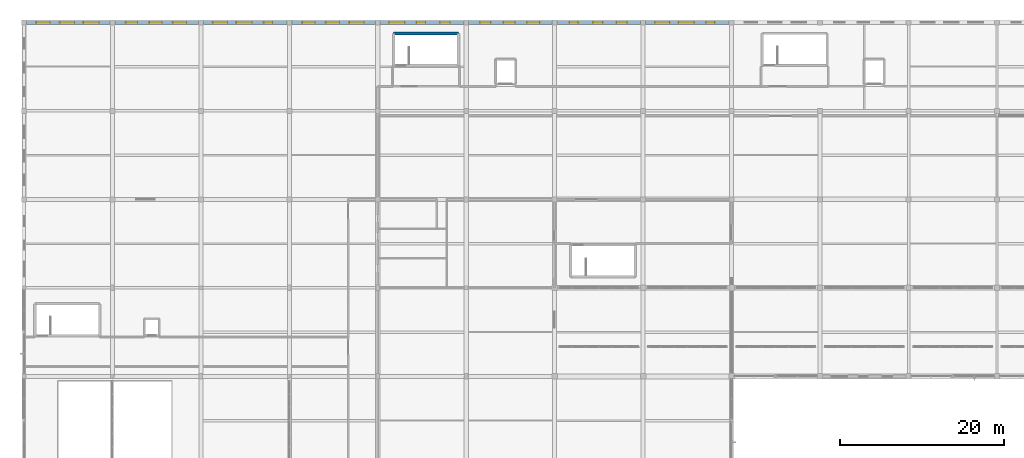
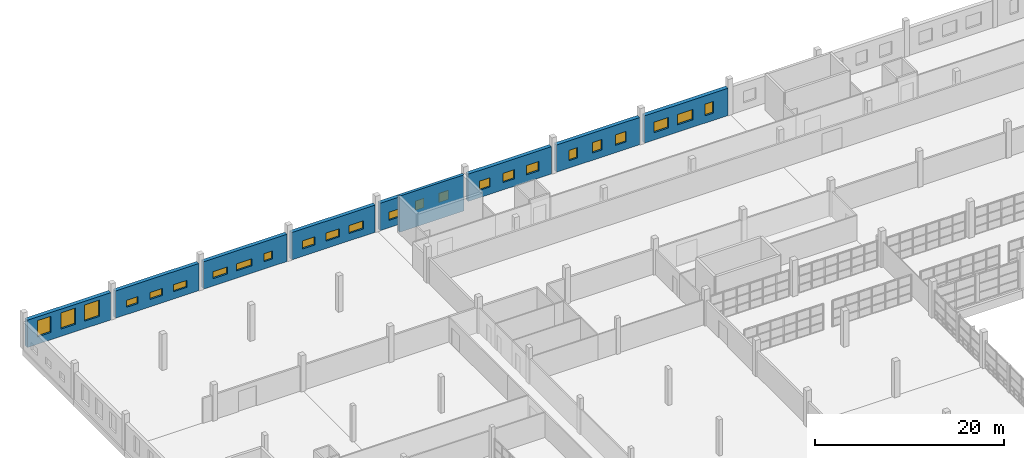
# One storey, part 117 of 142: 24 windows, 9 walls, 24 openings.
"""IFC4 building model written with IfcOpenShell, lengths in metres."""

from ifc_helpers import new_model, si_unit, direction, frame, frame_2d, origin, place, context, subcontext, project, spatial, rectangle, extrude, material, layer, layer_set, type_object, element, fill, save


model = new_model("IFC4")

# Units and contexts
model_context = context("Model", 3, precision=1e-05, world=origin(), true_north=direction((0.0, 1.0)))
body_context = subcontext(model_context, "Body", "Model", "MODEL_VIEW")
ifc_project = project(units=[si_unit("LENGTHUNIT", "METRE"), si_unit("AREAUNIT", "SQUARE_METRE"), si_unit("VOLUMEUNIT", "CUBIC_METRE"), si_unit("PLANEANGLEUNIT", "RADIAN"), si_unit("MASSUNIT", "GRAM", prefix="KILO")], contexts=[model_context])

# Site, building, storey
site_placement = place(None, origin())
site = spatial("IfcSite", under=ifc_project, at=site_placement, CompositionType="ELEMENT")
building_placement = place(site_placement, origin())
building = spatial("IfcBuilding", under=site, at=building_placement, Name="Zwinboog Wholesale Market", CompositionType="ELEMENT")
storey_placement = place(building_placement, frame((0.0, 0.0, 5.39990234375)))
storey = spatial("IfcBuildingStorey", under=building, at=storey_placement, Name="L01", CompositionType="ELEMENT", Elevation=5.39990234375)

# Wall, openings, windows
ifc_material_1 = material(Name="Precast concrete C45/55", Category="concrete")
ifc_layer_1 = layer(ifc_material_1, 0.455078125)
ifc_layer_set_1 = layer_set([ifc_layer_1], Name="Precast concrete C45/55")
wall_type_1 = type_object("IfcWallType", Name="WT-EW-455", PredefinedType="STANDARD", material=ifc_layer_set_1)
wall_1_placement = place(storey_placement, frame((11.094970703125, 129.60009765625, 0.0), z_axis=(0.0, 0.0, 1.0), x_axis=(1.0, 0.0, 0.0)))
wall_1 = element("IfcWall", 1, at=wall_1_placement, inside=storey, type_object=wall_type_1, Name="EW-05 (WL-EW-L01-104)", PredefinedType="STANDARD", context=body_context, shape_type="SweptSolid", body=[
    extrude(rectangle(XDim=10.2099609375, YDim=0.455078125, at=frame_2d((5.10498046875, 0.0))), origin(), (0.0, 0.0, 1.0), 3.530029296875),
])
opening_1_placement = place(wall_1_placement, frame((1.344970703125, 0.0, 0.949951171875)))
opening_1 = element("IfcOpeningElement", 2, at=opening_1_placement, cuts=wall_1, Name="Opening WN-04", PredefinedType="OPENING", context=body_context, shape_type="SweptSolid", body=[
    extrude(rectangle(XDim=1.409912109375, YDim=0.89990234375, at=frame_2d((0.705078125, 0.449951171875))), frame((0.0, 0.237548828125, 0.0), z_axis=(0.0, -1.0, 0.0), x_axis=(1.0, 0.0, 0.0)), (0.0, 0.0, 1.0), 0.47509765625),
])
opening_2_placement = place(wall_1_placement, frame((4.215087890625, 0.0, 0.949951171875)))
opening_2 = element("IfcOpeningElement", 3, at=opening_2_placement, cuts=wall_1, Name="Opening WN-05", PredefinedType="OPENING", context=body_context, shape_type="SweptSolid", body=[
    extrude(rectangle(XDim=1.530029296875, YDim=0.89990234375, at=frame_2d((0.76513671875, 0.449951171875))), frame((0.0, 0.237548828125, 0.0), z_axis=(0.0, -1.0, 0.0), x_axis=(1.0, 0.0, 0.0)), (0.0, 0.0, 1.0), 0.47509765625),
])
opening_3_placement = place(wall_1_placement, frame((7.0849609375, 0.0, 0.949951171875)))
opening_3 = element("IfcOpeningElement", 4, at=opening_3_placement, cuts=wall_1, Name="Opening WN-06", PredefinedType="OPENING", context=body_context, shape_type="SweptSolid", body=[
    extrude(rectangle(XDim=1.64990234375, YDim=0.89990234375, at=frame_2d((0.824951171875, 0.449951171875))), frame((0.0, 0.237548828125, 0.0), z_axis=(0.0, -1.0, 0.0), x_axis=(1.0, 0.0, 0.0)), (0.0, 0.0, 1.0), 0.47509765625),
])
ifc_material_2 = material(Name="Thermally broken aluminium low-e window", Category="aluminium")
window_type_1 = type_object("IfcWindowType", Name="WNT-04", PartitioningType="SINGLE_PANEL", PredefinedType="WINDOW", material=ifc_material_2)
window_1_placement = place(opening_1_placement, origin())
window_1 = element("IfcWindow", 5, at=window_1_placement, inside=storey, type_object=window_type_1, Name="WN-04 (WIN-L01-0076)", OverallHeight=0.89990234375, OverallWidth=1.409912109375, PartitioningType="SINGLE_PANEL", PredefinedType="WINDOW", context=body_context, shape_type="SweptSolid", body=[
    extrude(rectangle(XDim=1.409912109375, YDim=0.89990234375, at=frame_2d((0.705078125, 0.449951171875))), frame((0.0, 0.030029296875, 0.0), z_axis=(0.0, -1.0, 0.0), x_axis=(1.0, 0.0, 0.0)), (0.0, 0.0, 1.0), 0.06005859375),
])
fill(opening_1, window_1)
window_type_2 = type_object("IfcWindowType", Name="WNT-05", PartitioningType="SINGLE_PANEL", PredefinedType="WINDOW", material=ifc_material_2)
window_2_placement = place(opening_2_placement, origin())
window_2 = element("IfcWindow", 6, at=window_2_placement, inside=storey, type_object=window_type_2, Name="WN-05 (WIN-L01-0077)", OverallHeight=0.89990234375, OverallWidth=1.530029296875, PartitioningType="SINGLE_PANEL", PredefinedType="WINDOW", context=body_context, shape_type="SweptSolid", body=[
    extrude(rectangle(XDim=1.530029296875, YDim=0.89990234375, at=frame_2d((0.76513671875, 0.449951171875))), frame((0.0, 0.030029296875, 0.0), z_axis=(0.0, -1.0, 0.0), x_axis=(1.0, 0.0, 0.0)), (0.0, 0.0, 1.0), 0.06005859375),
])
fill(opening_2, window_2)
window_type_3 = type_object("IfcWindowType", Name="WNT-06", PartitioningType="SINGLE_PANEL", PredefinedType="WINDOW", material=ifc_material_2)
window_3_placement = place(opening_3_placement, origin())
window_3 = element("IfcWindow", 7, at=window_3_placement, inside=storey, type_object=window_type_3, Name="WN-06 (WIN-L01-0078)", OverallHeight=0.89990234375, OverallWidth=1.64990234375, PartitioningType="SINGLE_PANEL", PredefinedType="WINDOW", context=body_context, shape_type="SweptSolid", body=[
    extrude(rectangle(XDim=1.64990234375, YDim=0.89990234375, at=frame_2d((0.824951171875, 0.449951171875))), frame((0.0, 0.030029296875, 0.0), z_axis=(0.0, -1.0, 0.0), x_axis=(1.0, 0.0, 0.0)), (0.0, 0.0, 1.0), 0.06005859375),
])
fill(opening_3, window_3)

wall_2_placement = place(storey_placement, frame((21.89501953125, 129.60009765625, 0.0), z_axis=(0.0, 0.0, 1.0), x_axis=(1.0, 0.0, 0.0)))
wall_2 = element("IfcWall", 8, at=wall_2_placement, inside=storey, type_object=wall_type_1, Name="EW-05 (WL-EW-L01-106)", PredefinedType="STANDARD", context=body_context, shape_type="SweptSolid", body=[
    extrude(rectangle(XDim=10.2099609375, YDim=0.455078125, at=frame_2d((5.10498046875, 0.0))), origin(), (0.0, 0.0, 1.0), 3.530029296875),
])
opening_4_placement = place(wall_2_placement, frame((1.1650390625, 0.0, 0.949951171875)))
opening_4 = element("IfcOpeningElement", 9, at=opening_4_placement, cuts=wall_2, Name="Opening WN-07", PredefinedType="OPENING", context=body_context, shape_type="SweptSolid", body=[
    extrude(rectangle(XDim=1.77001953125, YDim=0.89990234375, at=frame_2d((0.885009765625, 0.449951171875))), frame((0.0, 0.237548828125, 0.0), z_axis=(0.0, -1.0, 0.0), x_axis=(1.0, 0.0, 0.0)), (0.0, 0.0, 1.0), 0.47509765625),
])
opening_5_placement = place(wall_2_placement, frame((4.034912109375, 0.0, 0.949951171875)))
opening_5 = element("IfcOpeningElement", 10, at=opening_5_placement, cuts=wall_2, Name="Opening WN-08", PredefinedType="OPENING", context=body_context, shape_type="SweptSolid", body=[
    extrude(rectangle(XDim=1.889892578125, YDim=0.89990234375, at=frame_2d((0.94482421875, 0.449951171875))), frame((0.0, 0.237548828125, 0.0), z_axis=(0.0, -1.0, 0.0), x_axis=(1.0, 0.0, 0.0)), (0.0, 0.0, 1.0), 0.47509765625),
])
opening_6_placement = place(wall_2_placement, frame((7.385009765625, 0.0, 0.949951171875)))
opening_6 = element("IfcOpeningElement", 11, at=opening_6_placement, cuts=wall_2, Name="Opening WN-09", PredefinedType="OPENING", context=body_context, shape_type="SweptSolid", body=[
    extrude(rectangle(XDim=1.050048828125, YDim=1.050048828125, at=frame_2d((0.52490234375, 0.52490234375))), frame((0.0, 0.237548828125, 0.0), z_axis=(0.0, -1.0, 0.0), x_axis=(1.0, 0.0, 0.0)), (0.0, 0.0, 1.0), 0.47509765625),
])
window_type_4 = type_object("IfcWindowType", Name="WNT-07", PartitioningType="SINGLE_PANEL", PredefinedType="WINDOW", material=ifc_material_2)
window_4_placement = place(opening_4_placement, origin())
window_4 = element("IfcWindow", 12, at=window_4_placement, inside=storey, type_object=window_type_4, Name="WN-07 (WIN-L01-0079)", OverallHeight=0.89990234375, OverallWidth=1.77001953125, PartitioningType="SINGLE_PANEL", PredefinedType="WINDOW", context=body_context, shape_type="SweptSolid", body=[
    extrude(rectangle(XDim=1.77001953125, YDim=0.89990234375, at=frame_2d((0.885009765625, 0.449951171875))), frame((0.0, 0.030029296875, 0.0), z_axis=(0.0, -1.0, 0.0), x_axis=(1.0, 0.0, 0.0)), (0.0, 0.0, 1.0), 0.06005859375),
])
fill(opening_4, window_4)
window_type_5 = type_object("IfcWindowType", Name="WNT-08", PartitioningType="SINGLE_PANEL", PredefinedType="WINDOW", material=ifc_material_2)
window_5_placement = place(opening_5_placement, origin())
window_5 = element("IfcWindow", 13, at=window_5_placement, inside=storey, type_object=window_type_5, Name="WN-08 (WIN-L01-0080)", OverallHeight=0.89990234375, OverallWidth=1.889892578125, PartitioningType="SINGLE_PANEL", PredefinedType="WINDOW", context=body_context, shape_type="SweptSolid", body=[
    extrude(rectangle(XDim=1.889892578125, YDim=0.89990234375, at=frame_2d((0.94482421875, 0.449951171875))), frame((0.0, 0.030029296875, 0.0), z_axis=(0.0, -1.0, 0.0), x_axis=(1.0, 0.0, 0.0)), (0.0, 0.0, 1.0), 0.06005859375),
])
fill(opening_5, window_5)
window_type_6 = type_object("IfcWindowType", Name="WNT-09", PartitioningType="SINGLE_PANEL", PredefinedType="WINDOW", material=ifc_material_2)
window_6_placement = place(opening_6_placement, origin())
window_6 = element("IfcWindow", 14, at=window_6_placement, inside=storey, type_object=window_type_6, Name="WN-09 (WIN-L01-0081)", OverallHeight=1.050048828125, OverallWidth=1.050048828125, PartitioningType="SINGLE_PANEL", PredefinedType="WINDOW", context=body_context, shape_type="SweptSolid", body=[
    extrude(rectangle(XDim=1.050048828125, YDim=1.050048828125, at=frame_2d((0.52490234375, 0.52490234375))), frame((0.0, 0.030029296875, 0.0), z_axis=(0.0, -1.0, 0.0), x_axis=(1.0, 0.0, 0.0)), (0.0, 0.0, 1.0), 0.06005859375),
])
fill(opening_6, window_6)

wall_3_placement = place(storey_placement, frame((32.695068359375, 129.60009765625, 0.0), z_axis=(0.0, 0.0, 1.0), x_axis=(1.0, 0.0, 0.0)))
wall_3 = element("IfcWall", 15, at=wall_3_placement, inside=storey, type_object=wall_type_1, Name="EW-05 (WL-EW-L01-114)", PredefinedType="STANDARD", context=body_context, shape_type="SweptSolid", body=[
    extrude(rectangle(XDim=10.2099609375, YDim=0.455078125, at=frame_2d((5.10498046875, 0.0))), origin(), (0.0, 0.0, 1.0), 3.530029296875),
])
opening_7_placement = place(wall_3_placement, frame((1.284912109375, 0.0, 0.949951171875)))
opening_7 = element("IfcOpeningElement", 16, at=opening_7_placement, cuts=wall_3, Name="Opening WN-13", PredefinedType="OPENING", context=body_context, shape_type="SweptSolid", body=[
    extrude(rectangle(XDim=1.530029296875, YDim=1.050048828125, at=frame_2d((0.76513671875, 0.52490234375))), frame((0.0, 0.237548828125, 0.0), z_axis=(0.0, -1.0, 0.0), x_axis=(1.0, 0.0, 0.0)), (0.0, 0.0, 1.0), 0.47509765625),
])
opening_8_placement = place(wall_3_placement, frame((4.155029296875, 0.0, 0.949951171875)))
opening_8 = element("IfcOpeningElement", 17, at=opening_8_placement, cuts=wall_3, Name="Opening WN-14", PredefinedType="OPENING", context=body_context, shape_type="SweptSolid", body=[
    extrude(rectangle(XDim=1.64990234375, YDim=1.050048828125, at=frame_2d((0.824951171875, 0.52490234375))), frame((0.0, 0.237548828125, 0.0), z_axis=(0.0, -1.0, 0.0), x_axis=(1.0, 0.0, 0.0)), (0.0, 0.0, 1.0), 0.47509765625),
])
opening_9_placement = place(wall_3_placement, frame((7.02490234375, 0.0, 0.949951171875)))
opening_9 = element("IfcOpeningElement", 18, at=opening_9_placement, cuts=wall_3, Name="Opening WN-15", PredefinedType="OPENING", context=body_context, shape_type="SweptSolid", body=[
    extrude(rectangle(XDim=1.77001953125, YDim=1.050048828125, at=frame_2d((0.885009765625, 0.52490234375))), frame((0.0, 0.237548828125, 0.0), z_axis=(0.0, -1.0, 0.0), x_axis=(1.0, 0.0, 0.0)), (0.0, 0.0, 1.0), 0.47509765625),
])
window_type_7 = type_object("IfcWindowType", Name="WNT-13", PartitioningType="SINGLE_PANEL", PredefinedType="WINDOW", material=ifc_material_2)
window_7_placement = place(opening_7_placement, origin())
window_7 = element("IfcWindow", 19, at=window_7_placement, inside=storey, type_object=window_type_7, Name="WN-13 (WIN-L01-0085)", OverallHeight=1.050048828125, OverallWidth=1.530029296875, PartitioningType="SINGLE_PANEL", PredefinedType="WINDOW", context=body_context, shape_type="SweptSolid", body=[
    extrude(rectangle(XDim=1.530029296875, YDim=1.050048828125, at=frame_2d((0.76513671875, 0.52490234375))), frame((0.0, 0.030029296875, 0.0), z_axis=(0.0, -1.0, 0.0), x_axis=(1.0, 0.0, 0.0)), (0.0, 0.0, 1.0), 0.06005859375),
])
fill(opening_7, window_7)
window_type_8 = type_object("IfcWindowType", Name="WNT-14", PartitioningType="SINGLE_PANEL", PredefinedType="WINDOW", material=ifc_material_2)
window_8_placement = place(opening_8_placement, origin())
window_8 = element("IfcWindow", 20, at=window_8_placement, inside=storey, type_object=window_type_8, Name="WN-14 (WIN-L01-0086)", OverallHeight=1.050048828125, OverallWidth=1.64990234375, PartitioningType="SINGLE_PANEL", PredefinedType="WINDOW", context=body_context, shape_type="SweptSolid", body=[
    extrude(rectangle(XDim=1.64990234375, YDim=1.050048828125, at=frame_2d((0.824951171875, 0.52490234375))), frame((0.0, 0.030029296875, 0.0), z_axis=(0.0, -1.0, 0.0), x_axis=(1.0, 0.0, 0.0)), (0.0, 0.0, 1.0), 0.06005859375),
])
fill(opening_8, window_8)
window_type_9 = type_object("IfcWindowType", Name="WNT-15", PartitioningType="SINGLE_PANEL", PredefinedType="WINDOW", material=ifc_material_2)
window_9_placement = place(opening_9_placement, origin())
window_9 = element("IfcWindow", 21, at=window_9_placement, inside=storey, type_object=window_type_9, Name="WN-15 (WIN-L01-0087)", OverallHeight=1.050048828125, OverallWidth=1.77001953125, PartitioningType="SINGLE_PANEL", PredefinedType="WINDOW", context=body_context, shape_type="SweptSolid", body=[
    extrude(rectangle(XDim=1.77001953125, YDim=1.050048828125, at=frame_2d((0.885009765625, 0.52490234375))), frame((0.0, 0.030029296875, 0.0), z_axis=(0.0, -1.0, 0.0), x_axis=(1.0, 0.0, 0.0)), (0.0, 0.0, 1.0), 0.06005859375),
])
fill(opening_9, window_9)

wall_4_placement = place(storey_placement, frame((43.4951171875, 129.60009765625, 0.0), z_axis=(0.0, 0.0, 1.0), x_axis=(1.0, 0.0, 0.0)))
wall_4 = element("IfcWall", 22, at=wall_4_placement, inside=storey, type_object=wall_type_1, Name="EW-05 (WL-EW-L01-116)", PredefinedType="STANDARD", context=body_context, shape_type="SweptSolid", body=[
    extrude(rectangle(XDim=10.2099609375, YDim=0.455078125, at=frame_2d((5.10498046875, 0.0))), origin(), (0.0, 0.0, 1.0), 3.530029296875),
])
opening_10_placement = place(wall_4_placement, frame((1.10498046875, 0.0, 0.949951171875)))
opening_10 = element("IfcOpeningElement", 23, at=opening_10_placement, cuts=wall_4, Name="Opening WN-16", PredefinedType="OPENING", context=body_context, shape_type="SweptSolid", body=[
    extrude(rectangle(XDim=1.889892578125, YDim=1.050048828125, at=frame_2d((0.94482421875, 0.52490234375))), frame((0.0, 0.237548828125, 0.0), z_axis=(0.0, -1.0, 0.0), x_axis=(1.0, 0.0, 0.0)), (0.0, 0.0, 1.0), 0.47509765625),
])
opening_11_placement = place(wall_4_placement, frame((4.455078125, 0.0, 0.949951171875)))
opening_11 = element("IfcOpeningElement", 24, at=opening_11_placement, cuts=wall_4, Name="Opening WN-17", PredefinedType="OPENING", context=body_context, shape_type="SweptSolid", body=[
    extrude(rectangle(XDim=1.050048828125, YDim=1.199951171875, at=frame_2d((0.52490234375, 0.60009765625))), frame((0.0, 0.237548828125, 0.0), z_axis=(0.0, -1.0, 0.0), x_axis=(1.0, 0.0, 0.0)), (0.0, 0.0, 1.0), 0.47509765625),
])
opening_12_placement = place(wall_4_placement, frame((7.324951171875, 0.0, 0.949951171875)))
opening_12 = element("IfcOpeningElement", 25, at=opening_12_placement, cuts=wall_4, Name="Opening WN-18", PredefinedType="OPENING", context=body_context, shape_type="SweptSolid", body=[
    extrude(rectangle(XDim=1.169921875, YDim=1.199951171875, at=frame_2d((0.5849609375, 0.60009765625))), frame((0.0, 0.237548828125, 0.0), z_axis=(0.0, -1.0, 0.0), x_axis=(1.0, 0.0, 0.0)), (0.0, 0.0, 1.0), 0.47509765625),
])
window_type_10 = type_object("IfcWindowType", Name="WNT-16", PartitioningType="SINGLE_PANEL", PredefinedType="WINDOW", material=ifc_material_2)
window_10_placement = place(opening_10_placement, origin())
window_10 = element("IfcWindow", 26, at=window_10_placement, inside=storey, type_object=window_type_10, Name="WN-16 (WIN-L01-0088)", OverallHeight=1.050048828125, OverallWidth=1.889892578125, PartitioningType="SINGLE_PANEL", PredefinedType="WINDOW", context=body_context, shape_type="SweptSolid", body=[
    extrude(rectangle(XDim=1.889892578125, YDim=1.050048828125, at=frame_2d((0.94482421875, 0.52490234375))), frame((0.0, 0.030029296875, 0.0), z_axis=(0.0, -1.0, 0.0), x_axis=(1.0, 0.0, 0.0)), (0.0, 0.0, 1.0), 0.06005859375),
])
fill(opening_10, window_10)
window_type_11 = type_object("IfcWindowType", Name="WNT-17", PartitioningType="SINGLE_PANEL", PredefinedType="WINDOW", material=ifc_material_2)
window_11_placement = place(opening_11_placement, origin())
window_11 = element("IfcWindow", 27, at=window_11_placement, inside=storey, type_object=window_type_11, Name="WN-17 (WIN-L01-0089)", OverallHeight=1.199951171875, OverallWidth=1.050048828125, PartitioningType="SINGLE_PANEL", PredefinedType="WINDOW", context=body_context, shape_type="SweptSolid", body=[
    extrude(rectangle(XDim=1.050048828125, YDim=1.199951171875, at=frame_2d((0.52490234375, 0.60009765625))), frame((0.0, 0.030029296875, 0.0), z_axis=(0.0, -1.0, 0.0), x_axis=(1.0, 0.0, 0.0)), (0.0, 0.0, 1.0), 0.06005859375),
])
fill(opening_11, window_11)
window_type_12 = type_object("IfcWindowType", Name="WNT-18", PartitioningType="SINGLE_PANEL", PredefinedType="WINDOW", material=ifc_material_2)
window_12_placement = place(opening_12_placement, origin())
window_12 = element("IfcWindow", 28, at=window_12_placement, inside=storey, type_object=window_type_12, Name="WN-18 (WIN-L01-0090)", OverallHeight=1.199951171875, OverallWidth=1.169921875, PartitioningType="SINGLE_PANEL", PredefinedType="WINDOW", context=body_context, shape_type="SweptSolid", body=[
    extrude(rectangle(XDim=1.169921875, YDim=1.199951171875, at=frame_2d((0.5849609375, 0.60009765625))), frame((0.0, 0.030029296875, 0.0), z_axis=(0.0, -1.0, 0.0), x_axis=(1.0, 0.0, 0.0)), (0.0, 0.0, 1.0), 0.06005859375),
])
fill(opening_12, window_12)

wall_5_placement = place(storey_placement, frame((54.294921875, 129.60009765625, 0.0), z_axis=(0.0, 0.0, 1.0), x_axis=(1.0, 0.0, 0.0)))
wall_5 = element("IfcWall", 29, at=wall_5_placement, inside=storey, type_object=wall_type_1, Name="EW-05 (WL-EW-L01-118)", PredefinedType="STANDARD", context=body_context, shape_type="SweptSolid", body=[
    extrude(rectangle(XDim=10.2099609375, YDim=0.455078125, at=frame_2d((5.10498046875, 0.0))), origin(), (0.0, 0.0, 1.0), 3.530029296875),
])
opening_13_placement = place(wall_5_placement, frame((1.405029296875, 0.0, 0.949951171875)))
opening_13 = element("IfcOpeningElement", 30, at=opening_13_placement, cuts=wall_5, Name="Opening WN-19", PredefinedType="OPENING", context=body_context, shape_type="SweptSolid", body=[
    extrude(rectangle(XDim=1.2900390625, YDim=1.199951171875, at=frame_2d((0.64501953125, 0.60009765625))), frame((0.0, 0.237548828125, 0.0), z_axis=(0.0, -1.0, 0.0), x_axis=(1.0, 0.0, 0.0)), (0.0, 0.0, 1.0), 0.47509765625),
])
opening_14_placement = place(wall_5_placement, frame((4.27490234375, 0.0, 0.949951171875)))
opening_14 = element("IfcOpeningElement", 31, at=opening_14_placement, cuts=wall_5, Name="Opening WN-20", PredefinedType="OPENING", context=body_context, shape_type="SweptSolid", body=[
    extrude(rectangle(XDim=1.409912109375, YDim=1.199951171875, at=frame_2d((0.705078125, 0.60009765625))), frame((0.0, 0.237548828125, 0.0), z_axis=(0.0, -1.0, 0.0), x_axis=(1.0, 0.0, 0.0)), (0.0, 0.0, 1.0), 0.47509765625),
])
opening_15_placement = place(wall_5_placement, frame((7.14501953125, 0.0, 0.949951171875)))
opening_15 = element("IfcOpeningElement", 32, at=opening_15_placement, cuts=wall_5, Name="Opening WN-21", PredefinedType="OPENING", context=body_context, shape_type="SweptSolid", body=[
    extrude(rectangle(XDim=1.530029296875, YDim=1.199951171875, at=frame_2d((0.76513671875, 0.60009765625))), frame((0.0, 0.237548828125, 0.0), z_axis=(0.0, -1.0, 0.0), x_axis=(1.0, 0.0, 0.0)), (0.0, 0.0, 1.0), 0.47509765625),
])
window_type_13 = type_object("IfcWindowType", Name="WNT-19", PartitioningType="SINGLE_PANEL", PredefinedType="WINDOW", material=ifc_material_2)
window_13_placement = place(opening_13_placement, origin())
window_13 = element("IfcWindow", 33, at=window_13_placement, inside=storey, type_object=window_type_13, Name="WN-19 (WIN-L01-0091)", OverallHeight=1.199951171875, OverallWidth=1.2900390625, PartitioningType="SINGLE_PANEL", PredefinedType="WINDOW", context=body_context, shape_type="SweptSolid", body=[
    extrude(rectangle(XDim=1.2900390625, YDim=1.199951171875, at=frame_2d((0.64501953125, 0.60009765625))), frame((0.0, 0.030029296875, 0.0), z_axis=(0.0, -1.0, 0.0), x_axis=(1.0, 0.0, 0.0)), (0.0, 0.0, 1.0), 0.06005859375),
])
fill(opening_13, window_13)
window_type_14 = type_object("IfcWindowType", Name="WNT-20", PartitioningType="SINGLE_PANEL", PredefinedType="WINDOW", material=ifc_material_2)
window_14_placement = place(opening_14_placement, origin())
window_14 = element("IfcWindow", 34, at=window_14_placement, inside=storey, type_object=window_type_14, Name="WN-20 (WIN-L01-0092)", OverallHeight=1.199951171875, OverallWidth=1.409912109375, PartitioningType="SINGLE_PANEL", PredefinedType="WINDOW", context=body_context, shape_type="SweptSolid", body=[
    extrude(rectangle(XDim=1.409912109375, YDim=1.199951171875, at=frame_2d((0.705078125, 0.60009765625))), frame((0.0, 0.030029296875, 0.0), z_axis=(0.0, -1.0, 0.0), x_axis=(1.0, 0.0, 0.0)), (0.0, 0.0, 1.0), 0.06005859375),
])
fill(opening_14, window_14)
window_type_15 = type_object("IfcWindowType", Name="WNT-21", PartitioningType="SINGLE_PANEL", PredefinedType="WINDOW", material=ifc_material_2)
window_15_placement = place(opening_15_placement, origin())
window_15 = element("IfcWindow", 35, at=window_15_placement, inside=storey, type_object=window_type_15, Name="WN-21 (WIN-L01-0093)", OverallHeight=1.199951171875, OverallWidth=1.530029296875, PartitioningType="SINGLE_PANEL", PredefinedType="WINDOW", context=body_context, shape_type="SweptSolid", body=[
    extrude(rectangle(XDim=1.530029296875, YDim=1.199951171875, at=frame_2d((0.76513671875, 0.60009765625))), frame((0.0, 0.030029296875, 0.0), z_axis=(0.0, -1.0, 0.0), x_axis=(1.0, 0.0, 0.0)), (0.0, 0.0, 1.0), 0.06005859375),
])
fill(opening_15, window_15)

wall_6_placement = place(storey_placement, frame((65.094970703125, 129.60009765625, 0.0), z_axis=(0.0, 0.0, 1.0), x_axis=(1.0, 0.0, 0.0)))
wall_6 = element("IfcWall", 36, at=wall_6_placement, inside=storey, type_object=wall_type_1, Name="EW-05 (WL-EW-L01-122)", PredefinedType="STANDARD", context=body_context, shape_type="SweptSolid", body=[
    extrude(rectangle(XDim=10.2099609375, YDim=0.455078125, at=frame_2d((5.10498046875, 0.0))), origin(), (0.0, 0.0, 1.0), 3.530029296875),
])
opening_16_placement = place(wall_6_placement, frame((1.52490234375, 0.0, 0.949951171875)))
opening_16 = element("IfcOpeningElement", 37, at=opening_16_placement, cuts=wall_6, Name="Opening WN-25", PredefinedType="OPENING", context=body_context, shape_type="SweptSolid", body=[
    extrude(rectangle(XDim=1.050048828125, YDim=1.35009765625, at=frame_2d((0.52490234375, 0.675048828125))), frame((0.0, 0.237548828125, 0.0), z_axis=(0.0, -1.0, 0.0), x_axis=(1.0, 0.0, 0.0)), (0.0, 0.0, 1.0), 0.47509765625),
])
opening_17_placement = place(wall_6_placement, frame((4.39501953125, 0.0, 0.949951171875)))
opening_17 = element("IfcOpeningElement", 38, at=opening_17_placement, cuts=wall_6, Name="Opening WN-26", PredefinedType="OPENING", context=body_context, shape_type="SweptSolid", body=[
    extrude(rectangle(XDim=1.169921875, YDim=1.35009765625, at=frame_2d((0.5849609375, 0.675048828125))), frame((0.0, 0.237548828125, 0.0), z_axis=(0.0, -1.0, 0.0), x_axis=(1.0, 0.0, 0.0)), (0.0, 0.0, 1.0), 0.47509765625),
])
opening_18_placement = place(wall_6_placement, frame((7.264892578125, 0.0, 0.949951171875)))
opening_18 = element("IfcOpeningElement", 39, at=opening_18_placement, cuts=wall_6, Name="Opening WN-27", PredefinedType="OPENING", context=body_context, shape_type="SweptSolid", body=[
    extrude(rectangle(XDim=1.2900390625, YDim=1.35009765625, at=frame_2d((0.64501953125, 0.675048828125))), frame((0.0, 0.237548828125, 0.0), z_axis=(0.0, -1.0, 0.0), x_axis=(1.0, 0.0, 0.0)), (0.0, 0.0, 1.0), 0.47509765625),
])
window_type_16 = type_object("IfcWindowType", Name="WNT-25", PartitioningType="SINGLE_PANEL", PredefinedType="WINDOW", material=ifc_material_2)
window_16_placement = place(opening_16_placement, origin())
window_16 = element("IfcWindow", 40, at=window_16_placement, inside=storey, type_object=window_type_16, Name="WN-25 (WIN-L01-0097)", OverallHeight=1.35009765625, OverallWidth=1.050048828125, PartitioningType="SINGLE_PANEL", PredefinedType="WINDOW", context=body_context, shape_type="SweptSolid", body=[
    extrude(rectangle(XDim=1.050048828125, YDim=1.35009765625, at=frame_2d((0.52490234375, 0.675048828125))), frame((0.0, 0.030029296875, 0.0), z_axis=(0.0, -1.0, 0.0), x_axis=(1.0, 0.0, 0.0)), (0.0, 0.0, 1.0), 0.06005859375),
])
fill(opening_16, window_16)
window_type_17 = type_object("IfcWindowType", Name="WNT-26", PartitioningType="SINGLE_PANEL", PredefinedType="WINDOW", material=ifc_material_2)
window_17_placement = place(opening_17_placement, origin())
window_17 = element("IfcWindow", 41, at=window_17_placement, inside=storey, type_object=window_type_17, Name="WN-26 (WIN-L01-0098)", OverallHeight=1.35009765625, OverallWidth=1.169921875, PartitioningType="SINGLE_PANEL", PredefinedType="WINDOW", context=body_context, shape_type="SweptSolid", body=[
    extrude(rectangle(XDim=1.169921875, YDim=1.35009765625, at=frame_2d((0.5849609375, 0.675048828125))), frame((0.0, 0.030029296875, 0.0), z_axis=(0.0, -1.0, 0.0), x_axis=(1.0, 0.0, 0.0)), (0.0, 0.0, 1.0), 0.06005859375),
])
fill(opening_17, window_17)
window_type_18 = type_object("IfcWindowType", Name="WNT-27", PartitioningType="SINGLE_PANEL", PredefinedType="WINDOW", material=ifc_material_2)
window_18_placement = place(opening_18_placement, origin())
window_18 = element("IfcWindow", 42, at=window_18_placement, inside=storey, type_object=window_type_18, Name="WN-27 (WIN-L01-0099)", OverallHeight=1.35009765625, OverallWidth=1.2900390625, PartitioningType="SINGLE_PANEL", PredefinedType="WINDOW", context=body_context, shape_type="SweptSolid", body=[
    extrude(rectangle(XDim=1.2900390625, YDim=1.35009765625, at=frame_2d((0.64501953125, 0.675048828125))), frame((0.0, 0.030029296875, 0.0), z_axis=(0.0, -1.0, 0.0), x_axis=(1.0, 0.0, 0.0)), (0.0, 0.0, 1.0), 0.06005859375),
])
fill(opening_18, window_18)

ifc_layer_2 = layer(ifc_material_1, 0.47998046875)
ifc_layer_set_2 = layer_set([ifc_layer_2], Name="Precast concrete C45/55")
wall_type_2 = type_object("IfcWallType", Name="WT-EW-480", PredefinedType="STANDARD", material=ifc_layer_set_2)
wall_7_placement = place(storey_placement, frame((0.294921875, 129.60009765625, 0.0), z_axis=(0.0, 0.0, 1.0), x_axis=(1.0, 0.0, 0.0)))
wall_7 = element("IfcWall", 43, at=wall_7_placement, inside=storey, type_object=wall_type_2, Name="EW-06 (WL-EW-L01-101)", PredefinedType="STANDARD", context=body_context, shape_type="SweptSolid", body=[
    extrude(rectangle(XDim=10.2099609375, YDim=0.47998046875, at=frame_2d((5.10498046875, 0.0))), origin(), (0.0, 0.0, 1.0), 3.530029296875),
])
opening_19_placement = place(wall_7_placement, frame((1.22509765625, 0.0, 0.949951171875)))
opening_19 = element("IfcOpeningElement", 44, at=opening_19_placement, cuts=wall_7, Name="Opening WN-70", PredefinedType="OPENING", context=body_context, shape_type="SweptSolid", body=[
    extrude(rectangle(XDim=1.64990234375, YDim=2.10009765625, at=frame_2d((0.824951171875, 1.050048828125))), frame((0.0, 0.25, 0.0), z_axis=(0.0, -1.0, 0.0), x_axis=(1.0, 0.0, 0.0)), (0.0, 0.0, 1.0), 0.5),
])
opening_20_placement = place(wall_7_placement, frame((4.094970703125, 0.0, 0.949951171875)))
opening_20 = element("IfcOpeningElement", 45, at=opening_20_placement, cuts=wall_7, Name="Opening WN-71", PredefinedType="OPENING", context=body_context, shape_type="SweptSolid", body=[
    extrude(rectangle(XDim=1.77001953125, YDim=2.10009765625, at=frame_2d((0.885009765625, 1.050048828125))), frame((0.0, 0.25, 0.0), z_axis=(0.0, -1.0, 0.0), x_axis=(1.0, 0.0, 0.0)), (0.0, 0.0, 1.0), 0.5),
])
opening_21_placement = place(wall_7_placement, frame((6.965087890625, 0.0, 0.949951171875)))
opening_21 = element("IfcOpeningElement", 46, at=opening_21_placement, cuts=wall_7, Name="Opening WN-72", PredefinedType="OPENING", context=body_context, shape_type="SweptSolid", body=[
    extrude(rectangle(XDim=1.889892578125, YDim=2.10009765625, at=frame_2d((0.94482421875, 1.050048828125))), frame((0.0, 0.25, 0.0), z_axis=(0.0, -1.0, 0.0), x_axis=(1.0, 0.0, 0.0)), (0.0, 0.0, 1.0), 0.5),
])
window_type_19 = type_object("IfcWindowType", Name="WNT-70", PartitioningType="SINGLE_PANEL", PredefinedType="WINDOW", material=ifc_material_2)
window_19_placement = place(opening_19_placement, origin())
window_19 = element("IfcWindow", 47, at=window_19_placement, inside=storey, type_object=window_type_19, Name="WN-70 (WIN-L01-0070)", OverallHeight=2.10009765625, OverallWidth=1.64990234375, PartitioningType="SINGLE_PANEL", PredefinedType="WINDOW", context=body_context, shape_type="SweptSolid", body=[
    extrude(rectangle(XDim=1.64990234375, YDim=2.10009765625, at=frame_2d((0.824951171875, 1.050048828125))), frame((0.0, 0.030029296875, 0.0), z_axis=(0.0, -1.0, 0.0), x_axis=(1.0, 0.0, 0.0)), (0.0, 0.0, 1.0), 0.06005859375),
])
fill(opening_19, window_19)
window_type_20 = type_object("IfcWindowType", Name="WNT-71", PartitioningType="SINGLE_PANEL", PredefinedType="WINDOW", material=ifc_material_2)
window_20_placement = place(opening_20_placement, origin())
window_20 = element("IfcWindow", 48, at=window_20_placement, inside=storey, type_object=window_type_20, Name="WN-71 (WIN-L01-0071)", OverallHeight=2.10009765625, OverallWidth=1.77001953125, PartitioningType="SINGLE_PANEL", PredefinedType="WINDOW", context=body_context, shape_type="SweptSolid", body=[
    extrude(rectangle(XDim=1.77001953125, YDim=2.10009765625, at=frame_2d((0.885009765625, 1.050048828125))), frame((0.0, 0.030029296875, 0.0), z_axis=(0.0, -1.0, 0.0), x_axis=(1.0, 0.0, 0.0)), (0.0, 0.0, 1.0), 0.06005859375),
])
fill(opening_20, window_20)
window_type_21 = type_object("IfcWindowType", Name="WNT-72", PartitioningType="SINGLE_PANEL", PredefinedType="WINDOW", material=ifc_material_2)
window_21_placement = place(opening_21_placement, origin())
window_21 = element("IfcWindow", 49, at=window_21_placement, inside=storey, type_object=window_type_21, Name="WN-72 (WIN-L01-0072)", OverallHeight=2.10009765625, OverallWidth=1.889892578125, PartitioningType="SINGLE_PANEL", PredefinedType="WINDOW", context=body_context, shape_type="SweptSolid", body=[
    extrude(rectangle(XDim=1.889892578125, YDim=2.10009765625, at=frame_2d((0.94482421875, 1.050048828125))), frame((0.0, 0.030029296875, 0.0), z_axis=(0.0, -1.0, 0.0), x_axis=(1.0, 0.0, 0.0)), (0.0, 0.0, 1.0), 0.06005859375),
])
fill(opening_21, window_21)

wall_8_placement = place(storey_placement, frame((75.89501953125, 129.60009765625, 0.0), z_axis=(0.0, 0.0, 1.0), x_axis=(1.0, 0.0, 0.0)))
wall_8 = element("IfcWall", 50, at=wall_8_placement, inside=storey, type_object=wall_type_2, Name="EW-06 (WL-EW-L01-127)", PredefinedType="STANDARD", context=body_context, shape_type="SweptSolid", body=[
    extrude(rectangle(XDim=10.2099609375, YDim=0.47998046875, at=frame_2d((5.10498046875, 0.0))), origin(), (0.0, 0.0, 1.0), 3.530029296875),
])
opening_22_placement = place(wall_8_placement, frame((1.1650390625, 0.0, 0.949951171875)))
opening_22 = element("IfcOpeningElement", 51, at=opening_22_placement, cuts=wall_8, Name="Opening WN-31", PredefinedType="OPENING", context=body_context, shape_type="SweptSolid", body=[
    extrude(rectangle(XDim=1.77001953125, YDim=1.35009765625, at=frame_2d((0.885009765625, 0.675048828125))), frame((0.0, 0.25, 0.0), z_axis=(0.0, -1.0, 0.0), x_axis=(1.0, 0.0, 0.0)), (0.0, 0.0, 1.0), 0.5),
])
opening_23_placement = place(wall_8_placement, frame((4.034912109375, 0.0, 0.949951171875)))
opening_23 = element("IfcOpeningElement", 52, at=opening_23_placement, cuts=wall_8, Name="Opening WN-32", PredefinedType="OPENING", context=body_context, shape_type="SweptSolid", body=[
    extrude(rectangle(XDim=1.889892578125, YDim=1.35009765625, at=frame_2d((0.94482421875, 0.675048828125))), frame((0.0, 0.25, 0.0), z_axis=(0.0, -1.0, 0.0), x_axis=(1.0, 0.0, 0.0)), (0.0, 0.0, 1.0), 0.5),
])
opening_24_placement = place(wall_8_placement, frame((7.385009765625, 0.0, 0.949951171875)))
opening_24 = element("IfcOpeningElement", 53, at=opening_24_placement, cuts=wall_8, Name="Opening WN-33", PredefinedType="OPENING", context=body_context, shape_type="SweptSolid", body=[
    extrude(rectangle(XDim=1.050048828125, YDim=1.5, at=frame_2d((0.52490234375, 0.75))), frame((0.0, 0.25, 0.0), z_axis=(0.0, -1.0, 0.0), x_axis=(1.0, 0.0, 0.0)), (0.0, 0.0, 1.0), 0.5),
])
window_type_22 = type_object("IfcWindowType", Name="WNT-31", PartitioningType="SINGLE_PANEL", PredefinedType="WINDOW", material=ifc_material_2)
window_22_placement = place(opening_22_placement, origin())
window_22 = element("IfcWindow", 54, at=window_22_placement, inside=storey, type_object=window_type_22, Name="WN-31 (WIN-L01-0103)", OverallHeight=1.35009765625, OverallWidth=1.77001953125, PartitioningType="SINGLE_PANEL", PredefinedType="WINDOW", context=body_context, shape_type="SweptSolid", body=[
    extrude(rectangle(XDim=1.77001953125, YDim=1.35009765625, at=frame_2d((0.885009765625, 0.675048828125))), frame((0.0, 0.030029296875, 0.0), z_axis=(0.0, -1.0, 0.0), x_axis=(1.0, 0.0, 0.0)), (0.0, 0.0, 1.0), 0.06005859375),
])
fill(opening_22, window_22)
window_type_23 = type_object("IfcWindowType", Name="WNT-32", PartitioningType="SINGLE_PANEL", PredefinedType="WINDOW", material=ifc_material_2)
window_23_placement = place(opening_23_placement, origin())
window_23 = element("IfcWindow", 55, at=window_23_placement, inside=storey, type_object=window_type_23, Name="WN-32 (WIN-L01-0104)", OverallHeight=1.35009765625, OverallWidth=1.889892578125, PartitioningType="SINGLE_PANEL", PredefinedType="WINDOW", context=body_context, shape_type="SweptSolid", body=[
    extrude(rectangle(XDim=1.889892578125, YDim=1.35009765625, at=frame_2d((0.94482421875, 0.675048828125))), frame((0.0, 0.030029296875, 0.0), z_axis=(0.0, -1.0, 0.0), x_axis=(1.0, 0.0, 0.0)), (0.0, 0.0, 1.0), 0.06005859375),
])
fill(opening_23, window_23)
window_type_24 = type_object("IfcWindowType", Name="WNT-33", PartitioningType="SINGLE_PANEL", PredefinedType="WINDOW", material=ifc_material_2)
window_24_placement = place(opening_24_placement, origin())
window_24 = element("IfcWindow", 56, at=window_24_placement, inside=storey, type_object=window_type_24, Name="WN-33 (WIN-L01-0105)", OverallHeight=1.5, OverallWidth=1.050048828125, PartitioningType="SINGLE_PANEL", PredefinedType="WINDOW", context=body_context, shape_type="SweptSolid", body=[
    extrude(rectangle(XDim=1.050048828125, YDim=1.5, at=frame_2d((0.52490234375, 0.75))), frame((0.0, 0.030029296875, 0.0), z_axis=(0.0, -1.0, 0.0), x_axis=(1.0, 0.0, 0.0)), (0.0, 0.0, 1.0), 0.06005859375),
])
fill(opening_24, window_24)

# Wall
ifc_material_3 = material(Name="Concrete C40/50", Category="concrete")
ifc_layer_3 = layer(ifc_material_3, 0.35009765625)
ifc_layer_set_3 = layer_set([ifc_layer_3], Name="Concrete C40/50")
wall_type_3 = type_object("IfcWallType", Name="WT-SW-350", PredefinedType="SHEAR", material=ifc_layer_set_3)
wall_9_placement = place(storey_placement, frame((45.14990234375, 128.25, 0.0), z_axis=(0.0, 0.0, 1.0), x_axis=(1.0, 0.0, 0.0)))
element("IfcWall", 57, at=wall_9_placement, inside=storey, type_object=wall_type_3, Name="SW-04 (WL-SW-L01-022)", PredefinedType="SHEAR", context=body_context, shape_type="SweptSolid", body=[
    extrude(rectangle(XDim=7.900146484375, YDim=0.35009765625, at=frame_2d((3.9501953125, 0.0))), origin(), (0.0, 0.0, 1.0), 4.68017578125),
])

save(model, "model.ifc")
